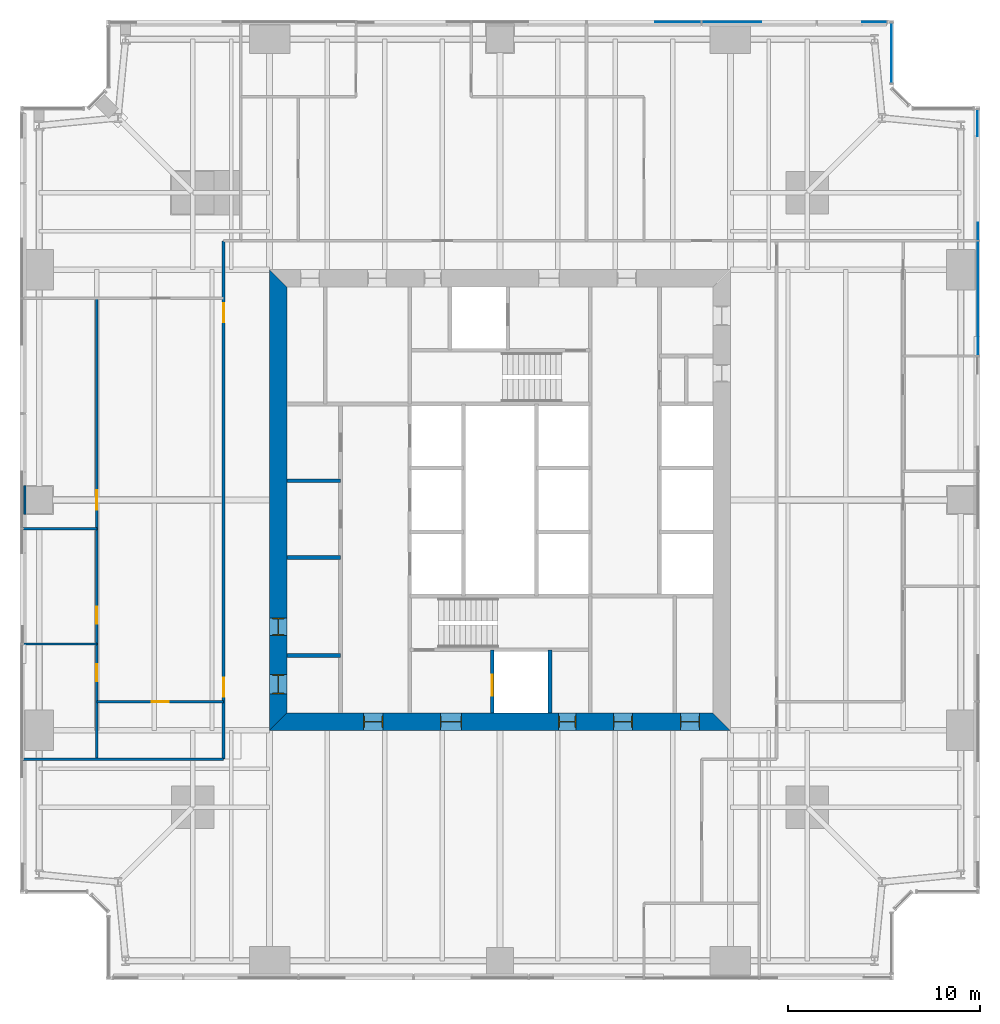
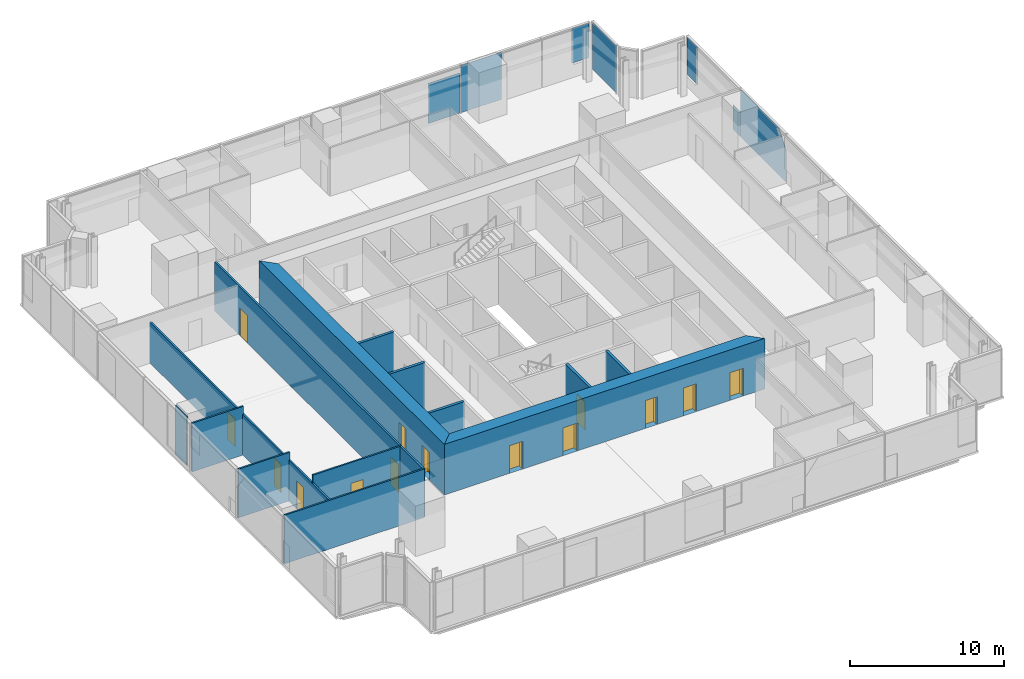
# One storey, part 9 of 14: 14 doors, 14 walls, 7 plates, 14 openings, 3 elements without a shape of their own.
"""IFC4 building model written with IfcOpenShell, lengths in metres."""

from ifc_helpers import new_model, si_unit, direction, frame, frame_2d, origin, origin_2d, place, context, subcontext, project, spatial, polyline, rectangle, outline, extrude, material, layer, layer_set, type_object, element, fill, aggregate, save


model = new_model("IFC4")

# Units and contexts
model_context = context("Model", 3, precision=1e-05, world=origin(), true_north=direction((0.0, 1.0)))
body_context = subcontext(model_context, "Body", "Model", "MODEL_VIEW")
ifc_project = project(units=[si_unit("LENGTHUNIT", "METRE"), si_unit("AREAUNIT", "SQUARE_METRE"), si_unit("VOLUMEUNIT", "CUBIC_METRE"), si_unit("PLANEANGLEUNIT", "RADIAN"), si_unit("MASSUNIT", "GRAM", prefix="KILO")], contexts=[model_context])

# Site, building, storey
site_placement = place(None, origin())
site = spatial("IfcSite", under=ifc_project, at=site_placement, CompositionType="ELEMENT")
building_placement = place(site_placement, origin())
building = spatial("IfcBuilding", under=site, at=building_placement, Name="Fenwick Lantern Interchange", CompositionType="ELEMENT")
storey_placement = place(building_placement, frame((0.0, 0.0, 118.39990234375)))
storey = spatial("IfcBuildingStorey", under=building, at=storey_placement, Name="L27", CompositionType="ELEMENT", Elevation=118.39990234375)

# Curtain wall, plates
ifc_material_1 = material(Name="Aluminium curtain wall frame", Category="aluminium")
curtain_wall_type = type_object("IfcCurtainWallType", Name="OFFICE CURTAIN WALL", PredefinedType="USERDEFINED", material=ifc_material_1)
curtain_wall_1_placement = place(storey_placement, origin())
curtain_wall_1 = element("IfcCurtainWall", 1, at=curtain_wall_1_placement, inside=storey, type_object=curtain_wall_type, Name="Office curtain wall 05", ObjectType="OFFICE CURTAIN WALL", PredefinedType="USERDEFINED")
ifc_material_2 = material(Name="Vision glass, clear low-iron double glazed", Category="glass")
ifc_layer_1 = layer(ifc_material_2, 0.031982421875)
ifc_layer_set_1 = layer_set([ifc_layer_1], Name="OFFICE CURTAIN WALL PANEL 32")
plate_type = type_object("IfcPlateType", Name="OFFICE CURTAIN WALL PANEL 32", PredefinedType="CURTAIN_PANEL", material=ifc_layer_set_1)
plate_1_placement = place(storey_placement, frame((49.89990234375, 4.60009765625, 0.0), z_axis=(0.0, 0.0, 1.0), x_axis=(0.0, 1.0, 0.0)))
plate_1 = element("IfcPlate", 2, at=plate_1_placement, type_object=plate_type, Name="L27/CW/05/P05a", PredefinedType="CURTAIN_PANEL", context=body_context, shape_type="SweptSolid", body=[
    extrude(outline(polyline([(27.9326171875, 0.0), (33.867431640625, 0.0), (33.867431640625, 3.75), (28.9169921875, 3.75), (27.9326171875, 2.4375), (27.9326171875, 0.0)])), frame((0.0, 0.01611328125, 0.0), z_axis=(0.0, -1.0, 0.0), x_axis=(1.0, 0.0, 0.0)), (0.0, 0.0, 1.0), 0.031982421875),
])
plate_2_placement = place(storey_placement, frame((49.89990234375, 4.60009765625, 0.0), z_axis=(0.0, 0.0, 1.0), x_axis=(0.0, 1.0, 0.0)))
plate_2 = element("IfcPlate", 3, at=plate_2_placement, type_object=plate_type, Name="L27/CW/05/P06a", PredefinedType="CURTAIN_PANEL", context=body_context, shape_type="SweptSolid", body=[
    extrude(outline(polyline([(33.9326171875, 0.0), (34.842529296875, 0.0), (34.842529296875, 1.9423828125), (33.9326171875, 1.9423828125), (33.9326171875, 0.0)])), frame((0.0, 0.01611328125, 0.0), z_axis=(0.0, -1.0, 0.0), x_axis=(1.0, 0.0, 0.0)), (0.0, 0.0, 1.0), 0.031982421875),
])
plate_3_placement = place(storey_placement, frame((49.89990234375, 4.60009765625, 0.80615234375), z_axis=(0.0, 0.0, 1.0), x_axis=(0.0, 1.0, 0.0)))
plate_3 = element("IfcPlate", 4, at=plate_3_placement, type_object=plate_type, Name="L27/CW/05/P06b", PredefinedType="CURTAIN_PANEL", context=body_context, shape_type="SweptSolid", body=[
    extrude(outline(polyline([(39.35107421875, 0.0), (40.735107421875, 0.0), (40.735107421875, 2.94384765625), (39.35107421875, 2.94384765625), (39.35107421875, 0.0)])), frame((0.0, 0.0498046875, 0.0), z_axis=(0.0, -1.0, 0.0), x_axis=(1.0, 0.0, 0.0)), (0.0, 0.0, 1.0), 0.031982421875),
])
aggregate(curtain_wall_1, [plate_1, plate_2, plate_3])

# Curtain wall, plate
curtain_wall_2_placement = place(storey_placement, origin())
curtain_wall_2 = element("IfcCurtainWall", 5, at=curtain_wall_2_placement, inside=storey, type_object=curtain_wall_type, Name="Office curtain wall 08", ObjectType="OFFICE CURTAIN WALL", PredefinedType="USERDEFINED")
plate_4_placement = place(storey_placement, frame((45.39990234375, 48.279296875, 0.0), z_axis=(0.0, 0.0, 1.0), x_axis=(0.0, 1.0, 0.0)))
plate_4 = element("IfcPlate", 6, at=plate_4_placement, type_object=plate_type, Name="L27/CW/08/P00", PredefinedType="CURTAIN_PANEL", context=body_context, shape_type="SweptSolid", body=[
    extrude(rectangle(XDim=3.111328125, YDim=0.031982421875, at=origin_2d()), origin(), (0.0, 0.0, 1.0), 3.75),
])
aggregate(curtain_wall_2, [plate_4])

# Curtain wall, plates
curtain_wall_3_placement = place(storey_placement, origin())
curtain_wall_3 = element("IfcCurtainWall", 7, at=curtain_wall_3_placement, inside=storey, type_object=curtain_wall_type, Name="Office curtain wall 09", ObjectType="OFFICE CURTAIN WALL", PredefinedType="USERDEFINED")
plate_5_placement = place(storey_placement, frame((45.39990234375, 49.89990234375, 1.010986328125), z_axis=(0.0, 0.0, 1.0), x_axis=(-1.0, 0.0, 0.0)))
plate_5 = element("IfcPlate", 8, at=plate_5_placement, type_object=plate_type, Name="L27/CW/09/P00a", PredefinedType="CURTAIN_PANEL", context=body_context, shape_type="SweptSolid", body=[
    extrude(outline(polyline([(0.264892578125, 0.0), (1.544921875, 0.0), (1.544921875, 2.739013671875), (0.264892578125, 2.739013671875), (0.264892578125, 0.0)])), frame((0.0, 0.01611328125, 0.0), z_axis=(0.0, -1.0, 0.0), x_axis=(1.0, 0.0, 0.0)), (0.0, 0.0, 1.0), 0.031982421875),
])
plate_6_placement = place(storey_placement, frame((45.39990234375, 49.89990234375, 0.0), z_axis=(0.0, 0.0, 1.0), x_axis=(-1.0, 0.0, 0.0)))
plate_6 = element("IfcPlate", 9, at=plate_6_placement, type_object=plate_type, Name="L27/CW/09/P01a", PredefinedType="CURTAIN_PANEL", context=body_context, shape_type="SweptSolid", body=[
    extrude(outline(polyline([(6.802001953125, 0.0), (9.867431640625, 0.0), (9.867431640625, 3.744140625), (6.802001953125, 3.744140625), (6.802001953125, 0.0)])), frame((0.0, 0.01611328125, 0.0), z_axis=(0.0, -1.0, 0.0), x_axis=(1.0, 0.0, 0.0)), (0.0, 0.0, 1.0), 0.031982421875),
])
plate_7_placement = place(storey_placement, frame((45.39990234375, 49.89990234375, 0.0), z_axis=(0.0, 0.0, 1.0), x_axis=(-1.0, 0.0, 0.0)))
plate_7 = element("IfcPlate", 10, at=plate_7_placement, type_object=plate_type, Name="L27/CW/09/P02a", PredefinedType="CURTAIN_PANEL", context=body_context, shape_type="SweptSolid", body=[
    extrude(outline(polyline([(9.9326171875, 0.0), (12.3125, 0.0), (12.3125, 3.177490234375), (9.9326171875, 3.177490234375), (9.9326171875, 0.0)])), frame((0.0, 0.01611328125, 0.0), z_axis=(0.0, -1.0, 0.0), x_axis=(1.0, 0.0, 0.0)), (0.0, 0.0, 1.0), 0.031982421875),
])
aggregate(curtain_wall_3, [plate_5, plate_6, plate_7])

# Wall
ifc_material_3 = material(Name="Fire-rated gypsum board encasement on steel studs, 2 hour", Category="steel")
ifc_layer_2 = layer(ifc_material_3, 1.5)
ifc_layer_set_2 = layer_set([ifc_layer_2], Name="COLUMN PIER 1500")
wall_type_1 = type_object("IfcWallType", Name="COLUMN PIER 1500", PredefinedType="PARTITIONING", material=ifc_layer_set_2)
wall_1_placement = place(storey_placement, frame((0.199951171875, 25.0, 0.0), z_axis=(0.0, 0.0, 1.0), x_axis=(1.0, 0.0, 0.0)))
element("IfcWall", 11, at=wall_1_placement, inside=storey, type_object=wall_type_1, Name="L27/W/PIER/CW3", PredefinedType="PARTITIONING", context=body_context, shape_type="SweptSolid", body=[
    extrude(rectangle(XDim=0.10009765625, YDim=1.5, at=frame_2d((0.050048828125, 0.0))), origin(), (0.0, 0.0, 1.0), 3.85009765625),
])

# Wall, opening, door
ifc_material_4 = material(Name="Concrete masonry ASTM C90 Grade N", Category="masonry")
ifc_layer_3 = layer(ifc_material_4, 0.199951171875)
ifc_layer_set_3 = layer_set([ifc_layer_3], Name="Concrete masonry ASTM C90 Grade N")
wall_type_2 = type_object("IfcWallType", Name="CORE PARTITION 200", PredefinedType="PARTITIONING", material=ifc_layer_set_3)
wall_2_placement = place(storey_placement, frame((24.60009765625, 13.89990234375, 0.0), z_axis=(0.0, 0.0, 1.0), x_axis=(0.0, 1.0, 0.0)))
wall_2 = element("IfcWall", 12, at=wall_2_placement, inside=storey, type_object=wall_type_2, Name="L27/W/CORES/h1", PredefinedType="PARTITIONING", context=body_context, shape_type="SweptSolid", body=[
    extrude(rectangle(XDim=3.300048828125, YDim=0.199951171875, at=frame_2d((1.64990234375, 0.0))), origin(), (0.0, 0.0, 1.0), 3.800048828125),
])
opening_1_placement = place(wall_2_placement, frame((0.89990234375, 0.0, 0.0)))
opening_1 = element("IfcOpeningElement", 13, at=opening_1_placement, cuts=wall_2, Name="Opening LD-FL1", PredefinedType="OPENING", context=body_context, shape_type="SweptSolid", body=[
    extrude(rectangle(XDim=1.10009765625, YDim=2.199951171875, at=frame_2d((0.550048828125, 1.10009765625))), frame((0.0, 0.10986328125, 0.0), z_axis=(0.0, -1.0, 0.0), x_axis=(1.0, 0.0, 0.0)), (0.0, 0.0, 1.0), 0.219970703125),
])
ifc_material_5 = material(Name="Steel door and frame", Category="steel")
door_type_1 = type_object("IfcDoorType", Name="LIFT LANDING DOOR 1100 X 2200", OperationType="DOUBLE_DOOR_SLIDING", PredefinedType="DOOR", material=ifc_material_5)
door_1_placement = place(opening_1_placement, origin())
door_1 = element("IfcDoor", 14, at=door_1_placement, inside=storey, type_object=door_type_1, Name="Lift landing door FL1", OperationType="DOUBLE_DOOR_SLIDING", OverallHeight=2.199951171875, OverallWidth=1.10009765625, PredefinedType="DOOR", context=body_context, shape_type="SweptSolid", body=[
    extrude(rectangle(XDim=1.10009765625, YDim=2.199951171875, at=frame_2d((0.550048828125, 1.10009765625))), frame((0.0, 0.02490234375, 0.0), z_axis=(0.0, -1.0, 0.0), x_axis=(1.0, 0.0, 0.0)), (0.0, 0.0, 1.0), 0.050048828125),
])
fill(opening_1, door_1)

# Walls
wall_3_placement = place(storey_placement, frame((27.60009765625, 13.89990234375, 0.0), z_axis=(0.0, 0.0, 1.0), x_axis=(0.0, 1.0, 0.0)))
element("IfcWall", 15, at=wall_3_placement, inside=storey, type_object=wall_type_2, Name="L27/W/CORES/h2", PredefinedType="PARTITIONING", context=body_context, shape_type="SweptSolid", body=[
    extrude(rectangle(XDim=3.300048828125, YDim=0.199951171875, at=frame_2d((1.64990234375, 0.0))), origin(), (0.0, 0.0, 1.0), 3.800048828125),
])
for number, where, z_axis, x_axis, name in (
    (16, (13.89990234375, 16.89990234375, 0.0), (0.0, 0.0, 1.0), (1.0, 0.0, 0.0), "L27/W/CORES/p1"),
    (17, (13.89990234375, 22.0, 0.0), (0.0, 0.0, 1.0), (1.0, 0.0, 0.0), "L27/W/CORES/p2"),
    (18, (13.89990234375, 26.0, 0.0), (0.0, 0.0, 1.0), (1.0, 0.0, 0.0), "L27/W/CORES/p3"),
):
    element("IfcWall", number, at=place(storey_placement, frame(where, z_axis=z_axis, x_axis=x_axis)), inside=storey, type_object=wall_type_2, Name=name, PredefinedType="PARTITIONING", context=body_context, shape_type="SweptSolid", body=[
        extrude(rectangle(XDim=2.800048828125, YDim=0.199951171875, at=frame_2d((1.39990234375, 0.0))), origin(), (0.0, 0.0, 1.0), 3.800048828125),
    ])

# Wall, openings, doors
ifc_material_6 = material(Name="Concrete f'c 70 MPa", Category="concrete")
ifc_layer_4 = layer(ifc_material_6, 0.89990234375)
ifc_layer_set_4 = layer_set([ifc_layer_4], Name="CORE WALL 900")
wall_type_3 = type_object("IfcWallType", Name="CORE WALL 900", PredefinedType="SHEAR", material=ifc_layer_set_4)
wall_4_placement = place(storey_placement, frame((13.0, 13.449951171875, 0.0), z_axis=(0.0, 0.0, 1.0), x_axis=(1.0, 0.0, 0.0)))
wall_4 = element("IfcWall", 19, at=wall_4_placement, inside=storey, type_object=wall_type_3, Name="L27/CORE/S", PredefinedType="SHEAR", context=body_context, shape_type="SweptSolid", body=[
    extrude(outline(polyline([(0.0, -0.449951171875), (24.0, -0.449951171875), (23.10009765625, 0.449951171875), (0.89990234375, 0.449951171875), (0.0, -0.449951171875)])), origin(), (0.0, 0.0, 1.0), 4.0),
])
opening_2_placement = place(wall_4_placement, frame((4.89990234375, 0.0, 0.0)))
opening_2 = element("IfcOpeningElement", 20, at=opening_2_placement, cuts=wall_4, Name="Opening L27-D001", PredefinedType="OPENING", context=body_context, shape_type="SweptSolid", body=[
    extrude(rectangle(XDim=1.0, YDim=2.199951171875, at=frame_2d((0.5, 1.10009765625))), frame((0.0, 0.4599609375, 0.0), z_axis=(0.0, -1.0, 0.0), x_axis=(1.0, 0.0, 0.0)), (0.0, 0.0, 1.0), 0.919921875),
])
opening_3_placement = place(wall_4_placement, frame((8.89990234375, 0.0, 0.0)))
opening_3 = element("IfcOpeningElement", 21, at=opening_3_placement, cuts=wall_4, Name="Opening L27-D002", PredefinedType="OPENING", context=body_context, shape_type="SweptSolid", body=[
    extrude(rectangle(XDim=1.10009765625, YDim=2.199951171875, at=frame_2d((0.550048828125, 1.10009765625))), frame((0.0, 0.4599609375, 0.0), z_axis=(0.0, -1.0, 0.0), x_axis=(1.0, 0.0, 0.0)), (0.0, 0.0, 1.0), 0.919921875),
])
opening_4_placement = place(wall_4_placement, frame((15.050048828125, 0.0, 0.0)))
opening_4 = element("IfcOpeningElement", 22, at=opening_4_placement, cuts=wall_4, Name="Opening L27-D004", PredefinedType="OPENING", context=body_context, shape_type="SweptSolid", body=[
    extrude(rectangle(XDim=0.89990234375, YDim=2.199951171875, at=frame_2d((0.449951171875, 1.10009765625))), frame((0.0, 0.4599609375, 0.0), z_axis=(0.0, -1.0, 0.0), x_axis=(1.0, 0.0, 0.0)), (0.0, 0.0, 1.0), 0.919921875),
])
opening_5_placement = place(wall_4_placement, frame((17.89990234375, 0.0, 0.0)))
opening_5 = element("IfcOpeningElement", 23, at=opening_5_placement, cuts=wall_4, Name="Opening L27-D005", PredefinedType="OPENING", context=body_context, shape_type="SweptSolid", body=[
    extrude(rectangle(XDim=1.0, YDim=2.199951171875, at=frame_2d((0.5, 1.10009765625))), frame((0.0, 0.4599609375, 0.0), z_axis=(0.0, -1.0, 0.0), x_axis=(1.0, 0.0, 0.0)), (0.0, 0.0, 1.0), 0.919921875),
])
opening_6_placement = place(wall_4_placement, frame((21.39990234375, 0.0, 0.0)))
opening_6 = element("IfcOpeningElement", 24, at=opening_6_placement, cuts=wall_4, Name="Opening L27-D006", PredefinedType="OPENING", context=body_context, shape_type="SweptSolid", body=[
    extrude(rectangle(XDim=1.0, YDim=2.199951171875, at=frame_2d((0.5, 1.10009765625))), frame((0.0, 0.4599609375, 0.0), z_axis=(0.0, -1.0, 0.0), x_axis=(1.0, 0.0, 0.0)), (0.0, 0.0, 1.0), 0.919921875),
])
door_type_2 = type_object("IfcDoorType", Name="CORE LOBBY DOOR 1000 X 2200", OperationType="SINGLE_SWING_LEFT", PredefinedType="DOOR", material=ifc_material_5)
door_2_placement = place(opening_2_placement, origin())
door_2 = element("IfcDoor", 25, at=door_2_placement, inside=storey, type_object=door_type_2, Name="Core lobby door", OperationType="SINGLE_SWING_LEFT", OverallHeight=2.199951171875, OverallWidth=1.0, PredefinedType="DOOR", context=body_context, shape_type="SweptSolid", body=[
    extrude(rectangle(XDim=1.0, YDim=2.199951171875, at=frame_2d((0.5, 1.10009765625))), frame((0.0, 0.02490234375, 0.0), z_axis=(0.0, -1.0, 0.0), x_axis=(1.0, 0.0, 0.0)), (0.0, 0.0, 1.0), 0.050048828125),
    extrude(outline(polyline([(0.0, 0.0), (0.0400390625, 0.0), (0.0400390625, 2.159912109375), (0.9599609375, 2.159912109375), (0.9599609375, 0.0), (1.0, 0.0), (1.0, 2.199951171875), (0.0, 2.199951171875), (0.0, 0.0)])), frame((0.0, 0.300048828125, 0.0), z_axis=(0.0, -1.0, 0.0), x_axis=(1.0, 0.0, 0.0)), (0.0, 0.0, 1.0), 0.60009765625),
])
fill(opening_2, door_2)
door_type_3 = type_object("IfcDoorType", Name="FIRE LOBBY DOOR 1100 X 2200", OperationType="SINGLE_SWING_LEFT", PredefinedType="DOOR", material=ifc_material_5)
door_3_placement = place(opening_3_placement, origin())
door_3 = element("IfcDoor", 26, at=door_3_placement, inside=storey, type_object=door_type_3, Name="Fire lobby door", OperationType="SINGLE_SWING_LEFT", OverallHeight=2.199951171875, OverallWidth=1.10009765625, PredefinedType="DOOR", context=body_context, shape_type="SweptSolid", body=[
    extrude(rectangle(XDim=1.10009765625, YDim=2.199951171875, at=frame_2d((0.550048828125, 1.10009765625))), frame((0.0, 0.02490234375, 0.0), z_axis=(0.0, -1.0, 0.0), x_axis=(1.0, 0.0, 0.0)), (0.0, 0.0, 1.0), 0.050048828125),
    extrude(outline(polyline([(0.0, 0.0), (0.0400390625, 0.0), (0.0400390625, 2.159912109375), (1.06005859375, 2.159912109375), (1.06005859375, 0.0), (1.10009765625, 0.0), (1.10009765625, 2.199951171875), (0.0, 2.199951171875), (0.0, 0.0)])), frame((0.0, 0.300048828125, 0.0), z_axis=(0.0, -1.0, 0.0), x_axis=(1.0, 0.0, 0.0)), (0.0, 0.0, 1.0), 0.60009765625),
])
fill(opening_3, door_3)
door_type_4 = type_object("IfcDoorType", Name="SERVICE DOOR 900 X 2200", OperationType="SINGLE_SWING_LEFT", PredefinedType="DOOR", material=ifc_material_5)
door_4_placement = place(opening_4_placement, origin())
door_4 = element("IfcDoor", 27, at=door_4_placement, inside=storey, type_object=door_type_4, Name="Service door", OperationType="SINGLE_SWING_LEFT", OverallHeight=2.199951171875, OverallWidth=0.89990234375, PredefinedType="DOOR", context=body_context, shape_type="SweptSolid", body=[
    extrude(rectangle(XDim=0.89990234375, YDim=2.199951171875, at=frame_2d((0.449951171875, 1.10009765625))), frame((0.0, 0.02490234375, 0.0), z_axis=(0.0, -1.0, 0.0), x_axis=(1.0, 0.0, 0.0)), (0.0, 0.0, 1.0), 0.050048828125),
    extrude(outline(polyline([(0.0, 0.0), (0.0400390625, 0.0), (0.0400390625, 2.159912109375), (0.85986328125, 2.159912109375), (0.85986328125, 0.0), (0.89990234375, 0.0), (0.89990234375, 2.199951171875), (0.0, 2.199951171875), (0.0, 0.0)])), frame((0.0, 0.300048828125, 0.0), z_axis=(0.0, -1.0, 0.0), x_axis=(1.0, 0.0, 0.0)), (0.0, 0.0, 1.0), 0.60009765625),
])
fill(opening_4, door_4)
ifc_material_7 = material(Name="Hardwood door and steel frame", Category="steel")
door_type_5 = type_object("IfcDoorType", Name="WC DOOR 1000 X 2200", OperationType="SINGLE_SWING_LEFT", PredefinedType="DOOR", material=ifc_material_7)
door_5_placement = place(opening_5_placement, origin())
door_5 = element("IfcDoor", 28, at=door_5_placement, inside=storey, type_object=door_type_5, Name="Wc door", OperationType="SINGLE_SWING_LEFT", OverallHeight=2.199951171875, OverallWidth=1.0, PredefinedType="DOOR", context=body_context, shape_type="SweptSolid", body=[
    extrude(rectangle(XDim=1.0, YDim=2.199951171875, at=frame_2d((0.5, 1.10009765625))), frame((0.0, 0.02490234375, 0.0), z_axis=(0.0, -1.0, 0.0), x_axis=(1.0, 0.0, 0.0)), (0.0, 0.0, 1.0), 0.050048828125),
    extrude(outline(polyline([(0.0, 0.0), (0.0400390625, 0.0), (0.0400390625, 2.159912109375), (0.9599609375, 2.159912109375), (0.9599609375, 0.0), (1.0, 0.0), (1.0, 2.199951171875), (0.0, 2.199951171875), (0.0, 0.0)])), frame((0.0, 0.300048828125, 0.0), z_axis=(0.0, -1.0, 0.0), x_axis=(1.0, 0.0, 0.0)), (0.0, 0.0, 1.0), 0.60009765625),
])
fill(opening_5, door_5)
door_6_placement = place(opening_6_placement, origin())
door_6 = element("IfcDoor", 29, at=door_6_placement, inside=storey, type_object=door_type_5, Name="Wc door", OperationType="SINGLE_SWING_LEFT", OverallHeight=2.199951171875, OverallWidth=1.0, PredefinedType="DOOR", context=body_context, shape_type="SweptSolid", body=[
    extrude(rectangle(XDim=1.0, YDim=2.199951171875, at=frame_2d((0.5, 1.10009765625))), frame((0.0, 0.02490234375, 0.0), z_axis=(0.0, -1.0, 0.0), x_axis=(1.0, 0.0, 0.0)), (0.0, 0.0, 1.0), 0.050048828125),
    extrude(outline(polyline([(0.0, 0.0), (0.0400390625, 0.0), (0.0400390625, 2.159912109375), (0.9599609375, 2.159912109375), (0.9599609375, 0.0), (1.0, 0.0), (1.0, 2.199951171875), (0.0, 2.199951171875), (0.0, 0.0)])), frame((0.0, 0.300048828125, 0.0), z_axis=(0.0, -1.0, 0.0), x_axis=(1.0, 0.0, 0.0)), (0.0, 0.0, 1.0), 0.60009765625),
])
fill(opening_6, door_6)

wall_5_placement = place(storey_placement, frame((13.449951171875, 36.10009765625, 0.0), z_axis=(0.0, 0.0, 1.0), x_axis=(0.0, -1.0, 0.0)))
wall_5 = element("IfcWall", 30, at=wall_5_placement, inside=storey, type_object=wall_type_3, Name="L27/CORE/W", PredefinedType="SHEAR", context=body_context, shape_type="SweptSolid", body=[
    extrude(outline(polyline([(-0.89990234375, -0.449951171875), (23.10009765625, -0.449951171875), (22.199951171875, 0.449951171875), (0.0, 0.449951171875), (-0.89990234375, -0.449951171875)])), origin(), (0.0, 0.0, 1.0), 4.0),
])
opening_7_placement = place(wall_5_placement, frame((20.199951171875, 0.0, 0.0)))
opening_7 = element("IfcOpeningElement", 31, at=opening_7_placement, cuts=wall_5, Name="Opening L27-D007", PredefinedType="OPENING", context=body_context, shape_type="SweptSolid", body=[
    extrude(rectangle(XDim=1.0, YDim=2.199951171875, at=frame_2d((0.5, 1.10009765625))), frame((0.0, 0.4599609375, 0.0), z_axis=(0.0, -1.0, 0.0), x_axis=(1.0, 0.0, 0.0)), (0.0, 0.0, 1.0), 0.919921875),
])
opening_8_placement = place(wall_5_placement, frame((17.25, 0.0, 0.0)))
opening_8 = element("IfcOpeningElement", 32, at=opening_8_placement, cuts=wall_5, Name="Opening L27-D008", PredefinedType="OPENING", context=body_context, shape_type="SweptSolid", body=[
    extrude(rectangle(XDim=0.89990234375, YDim=2.199951171875, at=frame_2d((0.449951171875, 1.10009765625))), frame((0.0, 0.4599609375, 0.0), z_axis=(0.0, -1.0, 0.0), x_axis=(1.0, 0.0, 0.0)), (0.0, 0.0, 1.0), 0.919921875),
])
door_7_placement = place(opening_8_placement, origin())
door_7 = element("IfcDoor", 33, at=door_7_placement, inside=storey, type_object=door_type_4, Name="Service door", OperationType="SINGLE_SWING_RIGHT", OverallHeight=2.199951171875, OverallWidth=0.89990234375, PredefinedType="DOOR", context=body_context, shape_type="SweptSolid", body=[
    extrude(rectangle(XDim=0.89990234375, YDim=2.199951171875, at=frame_2d((0.449951171875, 1.10009765625))), frame((0.0, 0.02490234375, 0.0), z_axis=(0.0, -1.0, 0.0), x_axis=(1.0, 0.0, 0.0)), (0.0, 0.0, 1.0), 0.050048828125),
    extrude(outline(polyline([(0.0, 0.0), (0.0400390625, 0.0), (0.0400390625, 2.159912109375), (0.85986328125, 2.159912109375), (0.85986328125, 0.0), (0.89990234375, 0.0), (0.89990234375, 2.199951171875), (0.0, 2.199951171875), (0.0, 0.0)])), frame((0.0, 0.300048828125, 0.0), z_axis=(0.0, -1.0, 0.0), x_axis=(1.0, 0.0, 0.0)), (0.0, 0.0, 1.0), 0.60009765625),
])
fill(opening_8, door_7)
door_8_placement = place(opening_7_placement, origin())
door_8 = element("IfcDoor", 34, at=door_8_placement, inside=storey, type_object=door_type_5, Name="Wc door", OperationType="SINGLE_SWING_LEFT", OverallHeight=2.199951171875, OverallWidth=1.0, PredefinedType="DOOR", context=body_context, shape_type="SweptSolid", body=[
    extrude(rectangle(XDim=1.0, YDim=2.199951171875, at=frame_2d((0.5, 1.10009765625))), frame((0.0, 0.02490234375, 0.0), z_axis=(0.0, -1.0, 0.0), x_axis=(1.0, 0.0, 0.0)), (0.0, 0.0, 1.0), 0.050048828125),
    extrude(outline(polyline([(0.0, 0.0), (0.0400390625, 0.0), (0.0400390625, 2.159912109375), (0.9599609375, 2.159912109375), (0.9599609375, 0.0), (1.0, 0.0), (1.0, 2.199951171875), (0.0, 2.199951171875), (0.0, 0.0)])), frame((0.0, 0.300048828125, 0.0), z_axis=(0.0, -1.0, 0.0), x_axis=(1.0, 0.0, 0.0)), (0.0, 0.0, 1.0), 0.60009765625),
])
fill(opening_7, door_8)

ifc_material_8 = material(Name="Gypsum board on steel studs, 1 hour", Category="steel")
ifc_layer_5 = layer(ifc_material_8, 0.14990234375)
ifc_layer_set_5 = layer_set([ifc_layer_5], Name="CORRIDOR WALL 150")
wall_type_4 = type_object("IfcWallType", Name="CORRIDOR WALL 150", PredefinedType="PARTITIONING", material=ifc_layer_set_5)
wall_6_placement = place(storey_placement, frame((10.60009765625, 38.5, 0.0), z_axis=(0.0, 0.0, 1.0), x_axis=(0.0, -1.0, 0.0)))
wall_6 = element("IfcWall", 35, at=wall_6_placement, inside=storey, type_object=wall_type_4, Name="L27/W/OFF/W/CW2", PredefinedType="PARTITIONING", context=body_context, shape_type="SweptSolid", body=[
    extrude(rectangle(XDim=27.0, YDim=0.14990234375, at=frame_2d((13.5, 0.0))), origin(), (0.0, 0.0, 1.0), 3.85009765625),
])
opening_9_placement = place(wall_6_placement, frame((3.25, 0.0, 0.0)))
opening_9 = element("IfcOpeningElement", 36, at=opening_9_placement, cuts=wall_6, Name="Opening L27-D035", PredefinedType="OPENING", context=body_context, shape_type="SweptSolid", body=[
    extrude(rectangle(XDim=1.0, YDim=2.199951171875, at=frame_2d((0.5, 1.10009765625))), frame((0.0, 0.0849609375, 0.0), z_axis=(0.0, -1.0, 0.0), x_axis=(1.0, 0.0, 0.0)), (0.0, 0.0, 1.0), 0.169921875),
])
opening_10_placement = place(wall_6_placement, frame((22.75, 0.0, 0.0)))
opening_10 = element("IfcOpeningElement", 37, at=opening_10_placement, cuts=wall_6, Name="Opening L27-D036", PredefinedType="OPENING", context=body_context, shape_type="SweptSolid", body=[
    extrude(rectangle(XDim=1.0, YDim=2.199951171875, at=frame_2d((0.5, 1.10009765625))), frame((0.0, 0.0849609375, 0.0), z_axis=(0.0, -1.0, 0.0), x_axis=(1.0, 0.0, 0.0)), (0.0, 0.0, 1.0), 0.169921875),
])
door_type_6 = type_object("IfcDoorType", Name="SUITE ENTRANCE DOOR 1000 X 2200", OperationType="SINGLE_SWING_LEFT", PredefinedType="DOOR", material=ifc_material_5)
door_9_placement = place(opening_9_placement, origin())
door_9 = element("IfcDoor", 38, at=door_9_placement, inside=storey, type_object=door_type_6, Name="Suite entrance door", OperationType="SINGLE_SWING_LEFT", OverallHeight=2.199951171875, OverallWidth=1.0, PredefinedType="DOOR", context=body_context, shape_type="SweptSolid", body=[
    extrude(rectangle(XDim=1.0, YDim=2.199951171875, at=frame_2d((0.5, 1.10009765625))), frame((0.0, 0.02490234375, 0.0), z_axis=(0.0, -1.0, 0.0), x_axis=(1.0, 0.0, 0.0)), (0.0, 0.0, 1.0), 0.050048828125),
])
fill(opening_9, door_9)
door_10_placement = place(opening_10_placement, origin())
door_10 = element("IfcDoor", 39, at=door_10_placement, inside=storey, type_object=door_type_6, Name="Suite entrance door", OperationType="SINGLE_SWING_RIGHT", OverallHeight=2.199951171875, OverallWidth=1.0, PredefinedType="DOOR", context=body_context, shape_type="SweptSolid", body=[
    extrude(rectangle(XDim=1.0, YDim=2.199951171875, at=frame_2d((0.5, 1.10009765625))), frame((0.0, 0.02490234375, 0.0), z_axis=(0.0, -1.0, 0.0), x_axis=(1.0, 0.0, 0.0)), (0.0, 0.0, 1.0), 0.050048828125),
])
fill(opening_10, door_10)

# Walls
ifc_material_9 = material(Name="Gypsum board on steel studs, acoustic", Category="steel")
ifc_layer_6 = layer(ifc_material_9, 0.125)
ifc_layer_set_6 = layer_set([ifc_layer_6], Name="OFFICE PARTITION 125")
wall_type_5 = type_object("IfcWallType", Name="OFFICE PARTITION 125", PredefinedType="PARTITIONING", material=ifc_layer_set_6)
wall_7_placement = place(storey_placement, frame((0.14990234375, 11.5, 0.0), z_axis=(0.0, 0.0, 1.0), x_axis=(1.0, 0.0, 0.0)))
element("IfcWall", 40, at=wall_7_placement, inside=storey, type_object=wall_type_5, Name="L27/W/OFF/S/BACK", PredefinedType="PARTITIONING", context=body_context, shape_type="SweptSolid", body=[
    extrude(rectangle(XDim=10.4501953125, YDim=0.125, at=frame_2d((5.22509765625, 0.0))), origin(), (0.0, 0.0, 1.0), 3.85009765625),
])
for number, where, z_axis, x_axis, name in (
    (41, (0.14990234375, 23.5, 0.0), (0.0, 0.0, 1.0), (1.0, 0.0, 0.0), "L27/W/OFF/W/X265-1"),
    (42, (0.14990234375, 17.5, 0.0), (0.0, 0.0, 1.0), (1.0, 0.0, 0.0), "L27/W/OFF/W/X325-1"),
):
    element("IfcWall", number, at=place(storey_placement, frame(where, z_axis=z_axis, x_axis=x_axis)), inside=storey, type_object=wall_type_5, Name=name, PredefinedType="PARTITIONING", context=body_context, shape_type="SweptSolid", body=[
        extrude(rectangle(XDim=3.85009765625, YDim=0.125, at=frame_2d((1.925048828125, 0.0))), origin(), (0.0, 0.0, 1.0), 3.85009765625),
    ])

# Wall, opening, door
wall_8_placement = place(storey_placement, frame((4.0, 14.5, 0.0), z_axis=(0.0, 0.0, 1.0), x_axis=(1.0, 0.0, 0.0)))
wall_8 = element("IfcWall", 43, at=wall_8_placement, inside=storey, type_object=wall_type_5, Name="L27/W/OFF/W/X355-1", PredefinedType="PARTITIONING", context=body_context, shape_type="SweptSolid", body=[
    extrude(rectangle(XDim=6.60009765625, YDim=0.125, at=frame_2d((3.300048828125, 0.0))), origin(), (0.0, 0.0, 1.0), 3.85009765625),
])
opening_11_placement = place(wall_8_placement, frame((2.85009765625, 0.0, 0.0)))
opening_11 = element("IfcOpeningElement", 44, at=opening_11_placement, cuts=wall_8, Name="Opening L27-D041", PredefinedType="OPENING", context=body_context, shape_type="SweptSolid", body=[
    extrude(rectangle(XDim=0.89990234375, YDim=2.199951171875, at=frame_2d((0.449951171875, 1.10009765625))), frame((0.0, 0.072509765625, 0.0), z_axis=(0.0, -1.0, 0.0), x_axis=(1.0, 0.0, 0.0)), (0.0, 0.0, 1.0), 0.14501953125),
])
door_type_7 = type_object("IfcDoorType", Name="OFFICE DOOR 900 X 2200", OperationType="SINGLE_SWING_LEFT", PredefinedType="DOOR", material=ifc_material_7)
door_11_placement = place(opening_11_placement, frame((0.89990234375, 0.0, 0.0), z_axis=(0.0, 0.0, 1.0), x_axis=(-1.0, 0.0, 0.0)))
door_11 = element("IfcDoor", 45, at=door_11_placement, inside=storey, type_object=door_type_7, Name="Office door", OperationType="SINGLE_SWING_RIGHT", OverallHeight=2.199951171875, OverallWidth=0.89990234375, PredefinedType="DOOR", context=body_context, shape_type="SweptSolid", body=[
    extrude(rectangle(XDim=0.89990234375, YDim=2.199951171875, at=frame_2d((0.449951171875, 1.10009765625))), frame((0.0, 0.02490234375, 0.0), z_axis=(0.0, -1.0, 0.0), x_axis=(1.0, 0.0, 0.0)), (0.0, 0.0, 1.0), 0.050048828125),
])
fill(opening_11, door_11)

# Wall, openings, doors
wall_9_placement = place(storey_placement, frame((4.0, 35.5, 0.0), z_axis=(0.0, 0.0, 1.0), x_axis=(0.0, -1.0, 0.0)))
wall_9 = element("IfcWall", 46, at=wall_9_placement, inside=storey, type_object=wall_type_5, Name="L27/W/OFF/W/Y40-1", PredefinedType="PARTITIONING", context=body_context, shape_type="SweptSolid", body=[
    extrude(rectangle(XDim=24.0, YDim=0.125, at=frame_2d((12.0, 0.0))), origin(), (0.0, 0.0, 1.0), 3.238037109375),
])
opening_12_placement = place(wall_9_placement, frame((10.0, 0.0, 0.0)))
opening_12 = element("IfcOpeningElement", 47, at=opening_12_placement, cuts=wall_9, Name="Opening L27-D038", PredefinedType="OPENING", context=body_context, shape_type="SweptSolid", body=[
    extrude(rectangle(XDim=1.0, YDim=2.199951171875, at=frame_2d((0.5, 1.10009765625))), frame((0.0, 0.072509765625, 0.0), z_axis=(0.0, -1.0, 0.0), x_axis=(1.0, 0.0, 0.0)), (0.0, 0.0, 1.0), 0.14501953125),
])
opening_13_placement = place(wall_9_placement, frame((16.050048828125, 0.0, 0.0)))
opening_13 = element("IfcOpeningElement", 48, at=opening_13_placement, cuts=wall_9, Name="Opening L27-D039", PredefinedType="OPENING", context=body_context, shape_type="SweptSolid", body=[
    extrude(rectangle(XDim=0.89990234375, YDim=2.199951171875, at=frame_2d((0.449951171875, 1.10009765625))), frame((0.0, 0.072509765625, 0.0), z_axis=(0.0, -1.0, 0.0), x_axis=(1.0, 0.0, 0.0)), (0.0, 0.0, 1.0), 0.14501953125),
])
opening_14_placement = place(wall_9_placement, frame((19.050048828125, 0.0, 0.0)))
opening_14 = element("IfcOpeningElement", 49, at=opening_14_placement, cuts=wall_9, Name="Opening L27-D040", PredefinedType="OPENING", context=body_context, shape_type="SweptSolid", body=[
    extrude(rectangle(XDim=0.89990234375, YDim=2.199951171875, at=frame_2d((0.449951171875, 1.10009765625))), frame((0.0, 0.072509765625, 0.0), z_axis=(0.0, -1.0, 0.0), x_axis=(1.0, 0.0, 0.0)), (0.0, 0.0, 1.0), 0.14501953125),
])
door_type_8 = type_object("IfcDoorType", Name="MEETING ROOM DOOR 1000 X 2200", OperationType="SINGLE_SWING_LEFT", PredefinedType="DOOR", material=ifc_material_7)
door_12_placement = place(opening_12_placement, frame((1.0, 0.0, 0.0), z_axis=(0.0, 0.0, 1.0), x_axis=(-1.0, 0.0, 0.0)))
door_12 = element("IfcDoor", 50, at=door_12_placement, inside=storey, type_object=door_type_8, Name="Meeting room door", OperationType="SINGLE_SWING_LEFT", OverallHeight=2.199951171875, OverallWidth=1.0, PredefinedType="DOOR", context=body_context, shape_type="SweptSolid", body=[
    extrude(rectangle(XDim=1.0, YDim=2.199951171875, at=frame_2d((0.5, 1.10009765625))), frame((0.0, 0.02490234375, 0.0), z_axis=(0.0, -1.0, 0.0), x_axis=(1.0, 0.0, 0.0)), (0.0, 0.0, 1.0), 0.050048828125),
])
fill(opening_12, door_12)
door_13_placement = place(opening_13_placement, frame((0.89990234375, 0.0, 0.0), z_axis=(0.0, 0.0, 1.0), x_axis=(-1.0, 0.0, 0.0)))
door_13 = element("IfcDoor", 51, at=door_13_placement, inside=storey, type_object=door_type_7, Name="Office door", OperationType="SINGLE_SWING_LEFT", OverallHeight=2.199951171875, OverallWidth=0.89990234375, PredefinedType="DOOR", context=body_context, shape_type="SweptSolid", body=[
    extrude(rectangle(XDim=0.89990234375, YDim=2.199951171875, at=frame_2d((0.449951171875, 1.10009765625))), frame((0.0, 0.02490234375, 0.0), z_axis=(0.0, -1.0, 0.0), x_axis=(1.0, 0.0, 0.0)), (0.0, 0.0, 1.0), 0.050048828125),
])
fill(opening_13, door_13)
door_14_placement = place(opening_14_placement, frame((0.89990234375, 0.0, 0.0), z_axis=(0.0, 0.0, 1.0), x_axis=(-1.0, 0.0, 0.0)))
door_14 = element("IfcDoor", 52, at=door_14_placement, inside=storey, type_object=door_type_7, Name="Office door", OperationType="SINGLE_SWING_RIGHT", OverallHeight=2.199951171875, OverallWidth=0.89990234375, PredefinedType="DOOR", context=body_context, shape_type="SweptSolid", body=[
    extrude(rectangle(XDim=0.89990234375, YDim=2.199951171875, at=frame_2d((0.449951171875, 1.10009765625))), frame((0.0, 0.02490234375, 0.0), z_axis=(0.0, -1.0, 0.0), x_axis=(1.0, 0.0, 0.0)), (0.0, 0.0, 1.0), 0.050048828125),
])
fill(opening_14, door_14)

save(model, "model.ifc")
